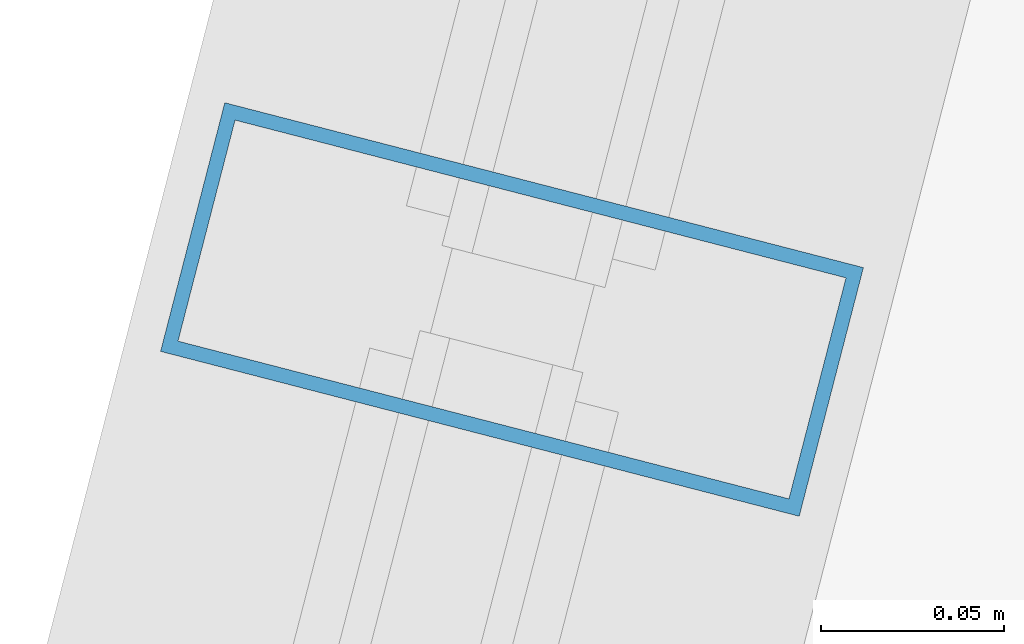
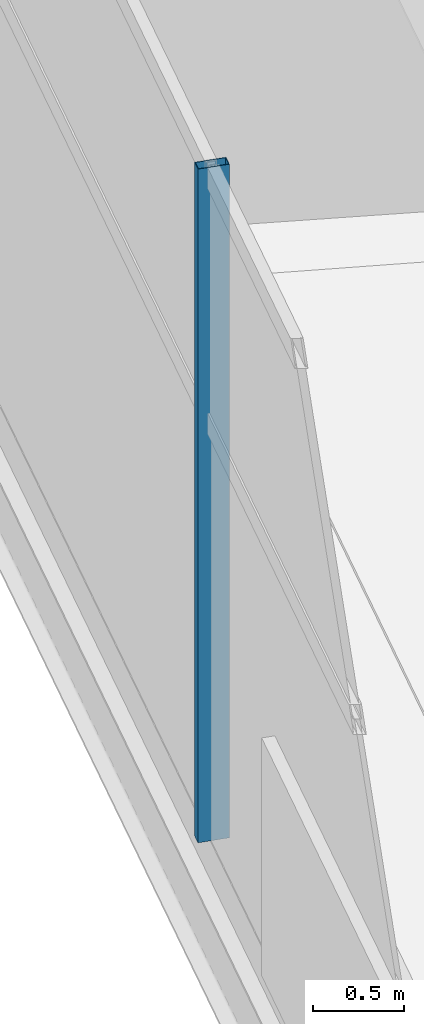
# One storey, part 53 of 186: 1 member, 1 element without a shape of its own.
"""IFC4 building model written with IfcOpenShell, lengths in metres."""

from ifc_helpers import new_model, si_unit, direction, frame, origin, origin_2d, place, context, subcontext, project, spatial, hollow_rectangle, extrude, material, layer, layer_set, material_profile, profile_set, type_object, element, aggregate, save


model = new_model("IFC4")

# Units and contexts
model_context = context("Model", 3, precision=1e-05, world=origin(), true_north=direction((0.0, 1.0)))
body_context = subcontext(model_context, "Body", "Model", "MODEL_VIEW")
ifc_project = project(units=[si_unit("LENGTHUNIT", "METRE"), si_unit("AREAUNIT", "SQUARE_METRE"), si_unit("VOLUMEUNIT", "CUBIC_METRE"), si_unit("PLANEANGLEUNIT", "RADIAN"), si_unit("MASSUNIT", "GRAM", prefix="KILO")], contexts=[model_context])

# Site, building, storey
site_placement = place(None, origin())
site = spatial("IfcSite", under=ifc_project, at=site_placement, CompositionType="ELEMENT")
building_placement = place(site_placement, origin())
building = spatial("IfcBuilding", under=site, at=building_placement, Name="Kazemori Nagisa Stadium", CompositionType="ELEMENT")
storey_placement = place(building_placement, frame((0.0, 0.0, 20.39990234375)))
storey = spatial("IfcBuildingStorey", under=building, at=storey_placement, Name="L04", CompositionType="ELEMENT", Elevation=20.39990234375)

# Curtain wall, member
ifc_material_1 = material(Name="Anodised aluminium 6063-T5", Category="aluminium")
ifc_layer = layer(ifc_material_1, 0.179931640625, Name="Anodised aluminium 6063-T5", Category="aluminium")
ifc_layer_set = layer_set([ifc_layer], Name="Anodised aluminium 6063-T5")
curtain_wall_type = type_object("IfcCurtainWallType", Name="CW_L04R3_98", PredefinedType="USERDEFINED", material=ifc_layer_set)
curtain_wall_placement = place(storey_placement, origin())
curtain_wall = element("IfcCurtainWall", 1, at=curtain_wall_placement, inside=storey, type_object=curtain_wall_type, Name="Unitised curtain wall CW-L04R3-98 L04", ObjectType="UNITISED CURTAIN WALL", PredefinedType="USERDEFINED")
ifc_material_2 = material(Name="Aluminium 6063-T5 anodised", Category="aluminium")
ifc_material_profile = material_profile(ifc_material_2, hollow_rectangle(XDim=0.070068359375, YDim=0.179931640625, WallThickness=0.00390625, at=origin_2d()), Name="ALU-MULL-70x180x4")
ifc_profile_set = profile_set([ifc_material_profile], Name="Aluminium 6063-T5 anodised")
member_type = type_object("IfcMemberType", Name="Mullion_M01", PredefinedType="MULLION", material=ifc_profile_set)
member_placement = place(storey_placement, frame((32.428466796875, 134.216552734375, 0.0), z_axis=(0.0, 0.0, 1.0), x_axis=(-0.249964642418, -0.968254965152, 0.0)))
member = element("IfcMember", 2, at=member_placement, type_object=member_type, Name="Curtain wall mullion CW-L04R3-98-M2", PredefinedType="MULLION", context=body_context, shape_type="SweptSolid", body=[
    extrude(hollow_rectangle(XDim=0.070068359375, YDim=0.179931640625, WallThickness=0.00390625, at=origin_2d()), origin(), (0.0, 0.0, 1.0), 4.530029296875),
])
aggregate(curtain_wall, [member])

save(model, "model.ifc")
